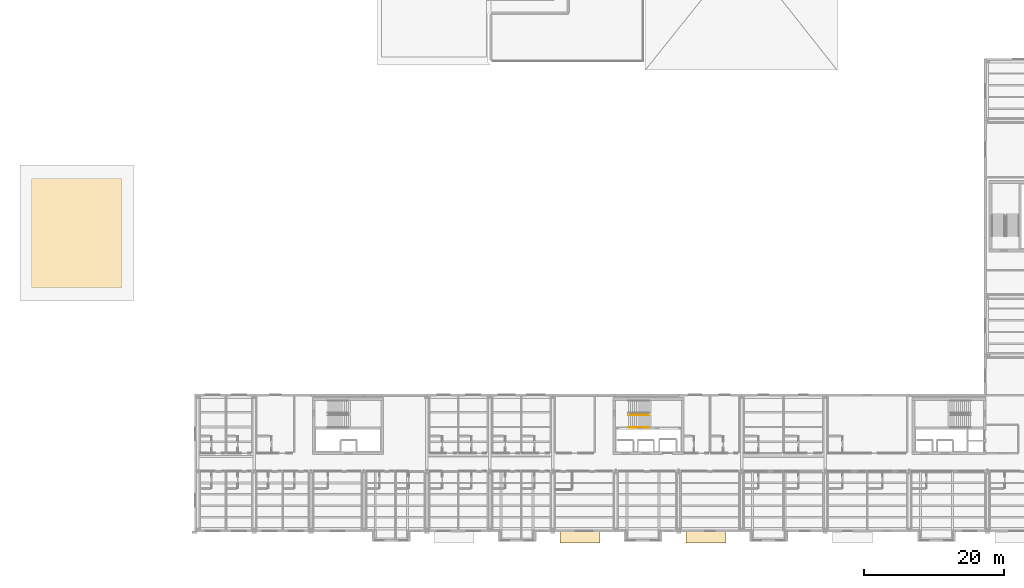
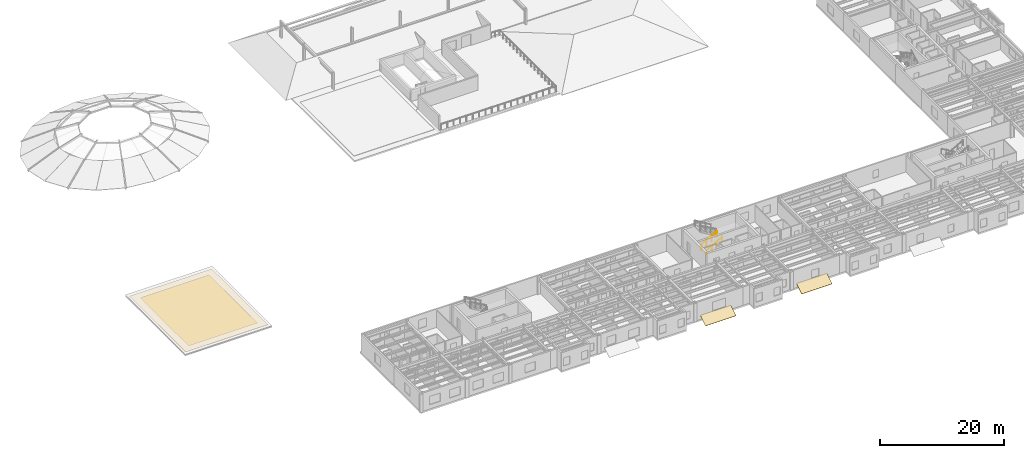
# One storey, part 29 of 34: 3 coverings, 2 railings.
"""IFC4 building model written with IfcOpenShell, lengths in metres."""

from ifc_helpers import new_model, si_unit, direction, frame, origin, origin_2d, place, context, subcontext, project, spatial, polyline, circle, outline, extrude, material, layer, layer_set, type_object, element, save


model = new_model("IFC4")

# Units and contexts
model_context = context("Model", 3, precision=1e-05, world=origin(), true_north=direction((0.0, 1.0)))
body_context = subcontext(model_context, "Body", "Model", "MODEL_VIEW")
ifc_project = project(units=[si_unit("LENGTHUNIT", "METRE"), si_unit("AREAUNIT", "SQUARE_METRE"), si_unit("VOLUMEUNIT", "CUBIC_METRE"), si_unit("PLANEANGLEUNIT", "RADIAN"), si_unit("MASSUNIT", "GRAM", prefix="KILO")], contexts=[model_context])

# Site, building, storey
site_placement = place(None, origin())
site = spatial("IfcSite", under=ifc_project, at=site_placement, CompositionType="ELEMENT")
building_placement = place(site_placement, origin())
building = spatial("IfcBuilding", under=site, at=building_placement, Name="Sollismere Congress Hotel", CompositionType="ELEMENT")
storey_placement = place(building_placement, frame((0.0, 0.0, 23.39990234375)))
storey = spatial("IfcBuildingStorey", under=building, at=storey_placement, Name="L05", CompositionType="ELEMENT", Elevation=23.39990234375)

# Coverings
ifc_material_1 = material(Name="Standing-Seam Titanium-Zinc Roof Assembly")
ifc_layer = layer(ifc_material_1, 0.054931640625, Name="Standing-Seam Titanium-Zinc Roof Assembly")
ifc_layer_set = layer_set([ifc_layer], Name="Standing-Seam Titanium-Zinc Roof Assembly")
covering_type = type_object("IfcCoveringType", Name="CV-RFZNC", PredefinedType="ROOFING", material=ifc_layer_set)
for number, where, z_axis, x_axis, name in (
    (1, (86.050048828125, -2.008056640625, -0.3779296875), (0.0, -0.525123792841, 0.851025852834), (1.0, 0.0, 0.0), "Cikma bay sacak hood SL-CKH-09"),
    (2, (104.050048828125, -2.008056640625, -0.3779296875), (0.0, -0.525123792841, 0.851025852834), (1.0, 0.0, 0.0), "Cikma bay sacak hood SL-CKH-10"),
):
    element("IfcCovering", number, at=place(storey_placement, frame(where, z_axis=z_axis, x_axis=x_axis)), inside=storey, type_object=covering_type, Name=name, PredefinedType="ROOFING", context=body_context, shape_type="SweptSolid", body=[
        extrude(outline(polyline([(0.0, 0.0), (5.699951171875, 0.0), (5.699951171875, 2.056396484375), (0.0, 2.056396484375), (0.0, 0.0)])), origin(), (0.0, 0.0, 1.0), 0.080078125),
    ])
covering_placement = place(storey_placement, origin())
element("IfcCovering", 3, at=covering_placement, inside=storey, type_object=covering_type, Name="COV-CV-RF-V3T", PredefinedType="ROOFING", context=body_context, shape_type="SweptSolid", body=[
    extrude(outline(polyline([(9.199951171875, 33.199951171875), (24.60009765625, 33.199951171875), (24.60009765625, 51.39990234375), (9.199951171875, 51.39990234375), (9.199951171875, 33.199951171875)])), origin(), (0.0, 0.0, 1.0), 0.05517578125),
])

# Railings
ifc_material_2 = material(Name="Steel ASTM A500 Grade C", Category="steel")
railing_type_1 = type_object("IfcRailingType", Name="RL-GRD112", PredefinedType="GUARDRAIL", material=ifc_material_2)
railing_1_placement = place(storey_placement, frame((95.85009765625, 16.25, 0.163818359375)))
element("IfcRailing", 4, at=railing_1_placement, inside=storey, type_object=railing_type_1, Name="RLG-RG-ST-02-L05-1", PredefinedType="GUARDRAIL", context=body_context, shape_type="SweptSolid", body=[
    extrude(circle(Radius=0.02392578125, at=origin_2d()), frame((0.0, 0.0, 1.09619140625), z_axis=(0.870928581787, 0.0, 0.491409610636), x_axis=(0.0, 1.0, 0.0)), (0.0, 0.0, 1.0), 3.32958984375),
    extrude(circle(Radius=0.02099609375, at=origin_2d()), origin(), (0.0, 0.0, 1.0), 1.072021484375),
    extrude(circle(Radius=0.02099609375, at=origin_2d()), frame((0.966552734375, 0.0, 0.54541015625)), (0.0, 0.0, 1.0), 1.072021484375),
    extrude(circle(Radius=0.02099609375, at=origin_2d()), frame((1.933349609375, 0.0, 1.0908203125)), (0.0, 0.0, 1.0), 1.072021484375),
    extrude(circle(Radius=0.02099609375, at=origin_2d()), frame((2.89990234375, 0.0, 1.63623046875)), (0.0, 0.0, 1.0), 1.072021484375),
])
ifc_material_3 = material(Name="Brushed Architectural Bronze")
railing_type_2 = type_object("IfcRailingType", Name="RL-HND90", PredefinedType="HANDRAIL", material=ifc_material_3)
railing_2_placement = place(storey_placement, frame((95.85009765625, 14.5, 0.303466796875)))
element("IfcRailing", 5, at=railing_2_placement, inside=storey, type_object=railing_type_2, Name="RLG-RH-ST-02-L05-1", PredefinedType="HANDRAIL", context=body_context, shape_type="SweptSolid", body=[
    extrude(circle(Radius=0.02392578125, at=origin_2d()), frame((0.0, 0.0, 0.8759765625), z_axis=(0.870928581787, 0.0, 0.491409610636), x_axis=(0.0, 1.0, 0.0)), (0.0, 0.0, 1.0), 3.32958984375),
    extrude(circle(Radius=0.02099609375, at=origin_2d()), origin(), (0.0, 0.0, 1.0), 0.851806640625),
    extrude(circle(Radius=0.02099609375, at=origin_2d()), frame((0.966552734375, 0.0, 0.54541015625)), (0.0, 0.0, 1.0), 0.851806640625),
    extrude(circle(Radius=0.02099609375, at=origin_2d()), frame((1.933349609375, 0.0, 1.0908203125)), (0.0, 0.0, 1.0), 0.851806640625),
    extrude(circle(Radius=0.02099609375, at=origin_2d()), frame((2.89990234375, 0.0, 1.63623046875)), (0.0, 0.0, 1.0), 0.851806640625),
])

save(model, "model.ifc")
